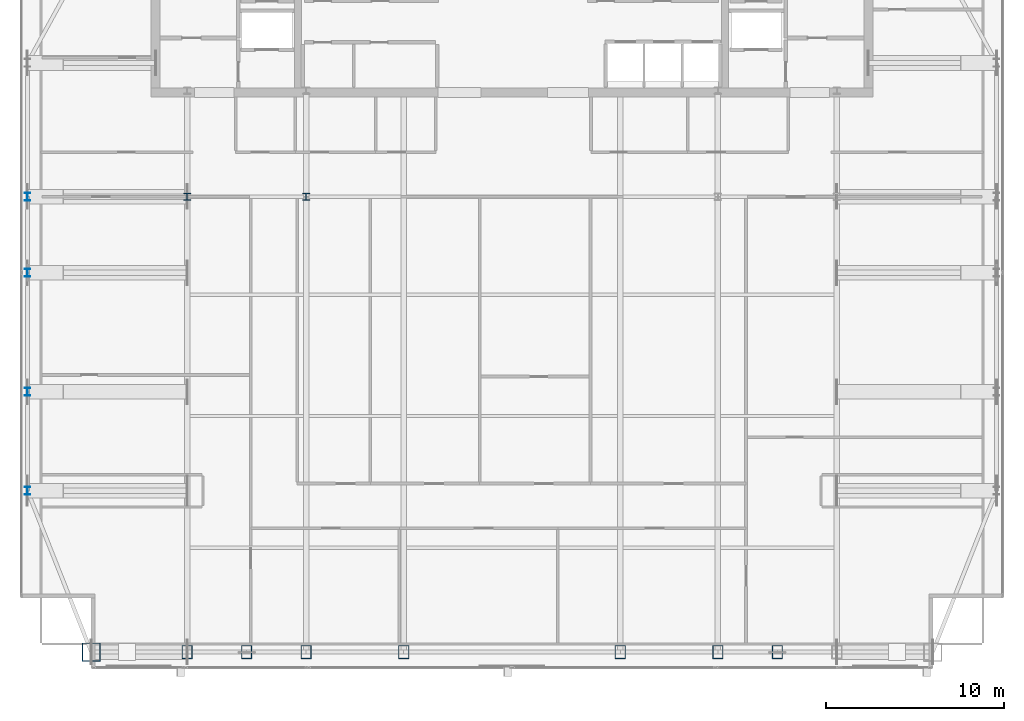
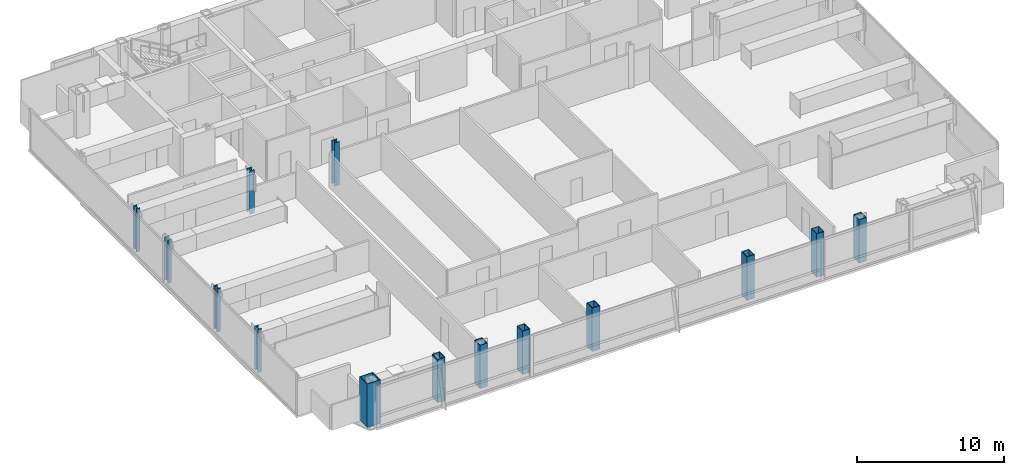
# One storey, part 1 of 26: 14 columns.
"""IFC4 building model written with IfcOpenShell, lengths in metres."""

from ifc_helpers import new_model, si_unit, direction, frame, origin, origin_2d, place, context, subcontext, project, spatial, hollow_rectangle, i_section, extrude, material, material_profile, profile_set, type_object, element, save


model = new_model("IFC4")

# Units and contexts
model_context = context("Model", 3, precision=1e-05, world=origin(), true_north=direction((0.0, 1.0)))
body_context = subcontext(model_context, "Body", "Model", "MODEL_VIEW")
ifc_project = project(units=[si_unit("LENGTHUNIT", "METRE"), si_unit("AREAUNIT", "SQUARE_METRE"), si_unit("VOLUMEUNIT", "CUBIC_METRE"), si_unit("PLANEANGLEUNIT", "RADIAN"), si_unit("MASSUNIT", "GRAM", prefix="KILO")], contexts=[model_context])

# Site, building, storey
site_placement = place(None, origin())
site = spatial("IfcSite", under=ifc_project, at=site_placement, CompositionType="ELEMENT")
building_placement = place(site_placement, origin())
building = spatial("IfcBuilding", under=site, at=building_placement, Name="Khoronbel Lancet Exchange", CompositionType="ELEMENT")
storey_placement = place(building_placement, frame((0.0, 0.0, 287.800048828125)))
storey = spatial("IfcBuildingStorey", under=building, at=storey_placement, Name="L74", CompositionType="ELEMENT", Elevation=287.800048828125)

# Columns
ifc_material_1 = material(Name="Steel S460", Category="steel")
ifc_material_profile_1 = material_profile(ifc_material_1, hollow_rectangle(XDim=0.60009765625, YDim=0.75, WallThickness=0.044921875, at=origin_2d()), Name="BOX 750x600x45")
ifc_profile_set_1 = profile_set([ifc_material_profile_1], Name="Steel S460")
column_type_1 = type_object("IfcColumnType", Name="COL-EC3", PredefinedType="COLUMN", material=ifc_profile_set_1)
for number, where, z_axis, x_axis, name in (
    (1, (18.22509765625, 10.14990234375, 0.0), (0.0, 0.0, 1.0), (1.0, 0.0, 0.0), "Structural column SC-W1 L74"),
    (2, (21.5625, 10.14990234375, 0.0), (0.0, 0.0, 1.0), (1.0, 0.0, 0.0), "Structural column SC-WM L74"),
    (3, (24.89990234375, 10.14990234375, 0.0), (0.0, 0.0, 1.0), (1.0, 0.0, 0.0), "Structural column SC-W2 L74"),
    (4, (30.375, 10.14990234375, 0.0), (0.0, 0.0, 1.0), (1.0, 0.0, 0.0), "Structural column SC-C1 L74"),
    (5, (42.52490234375, 10.14990234375, 0.0), (0.0, 0.0, 1.0), (1.0, 0.0, 0.0), "Structural column SC-C2 L74"),
    (6, (48.0, 10.14990234375, 0.0), (0.0, 0.0, 1.0), (1.0, 0.0, 0.0), "Structural column SC-E1 L74"),
    (7, (51.33740234375, 10.14990234375, 0.0), (0.0, 0.0, 1.0), (1.0, 0.0, 0.0), "Structural column SC-EM L74"),
):
    element("IfcColumn", number, at=place(storey_placement, frame(where, z_axis=z_axis, x_axis=x_axis)), inside=storey, type_object=column_type_1, Name=name, PredefinedType="COLUMN", context=body_context, shape_type="SweptSolid", body=[
        extrude(hollow_rectangle(XDim=0.60009765625, YDim=0.75, WallThickness=0.044921875, at=origin_2d()), origin(), (0.0, 0.0, 1.0), 3.599853515625),
    ])
ifc_material_2 = material(Name="Steel S355", Category="steel")
ifc_material_profile_2 = material_profile(ifc_material_2, i_section(OverallWidth=0.39892578125, OverallDepth=0.39306640625, WebThickness=0.022705078125, FlangeThickness=0.03662109375, at=origin_2d()), Name="HD 400x287")
ifc_profile_set_2 = profile_set([ifc_material_profile_2], Name="Steel S355")
column_type_2 = type_object("IfcColumnType", Name="COL-IC4", PredefinedType="COLUMN", material=ifc_profile_set_2)
for number, where, z_axis, x_axis, name in (
    (8, (18.22509765625, 35.699951171875, 0.0), (0.0, 0.0, 1.0), (1.0, 0.0, 0.0), "Spine gravity column TC1 L74"),
    (9, (24.89990234375, 35.699951171875, 0.0), (0.0, 0.0, 1.0), (1.0, 0.0, 0.0), "Spine gravity column TC2 L74"),
):
    element("IfcColumn", number, at=place(storey_placement, frame(where, z_axis=z_axis, x_axis=x_axis)), inside=storey, type_object=column_type_2, Name=name, PredefinedType="COLUMN", context=body_context, shape_type="SweptSolid", body=[
        extrude(i_section(OverallWidth=0.39892578125, OverallDepth=0.39306640625, WebThickness=0.022705078125, FlangeThickness=0.03662109375, at=origin_2d()), origin(), (0.0, 0.0, 1.0), 3.599853515625),
    ])
ifc_material_profile_3 = material_profile(ifc_material_2, i_section(OverallWidth=0.300048828125, OverallDepth=0.449951171875, WebThickness=0.013916015625, FlangeThickness=0.02587890625, at=origin_2d()), Name="HEB 450")
ifc_profile_set_3 = profile_set([ifc_material_profile_3], Name="Steel S355")
column_type_3 = type_object("IfcColumnType", Name="COL-LC2", PredefinedType="COLUMN", material=ifc_profile_set_3)
for number, where, z_axis, x_axis, name in (
    (10, (9.27001953125, 19.199951171875, 0.0), (0.0, 0.0, 1.0), (1.0, 0.0, 0.0), "Structural column WC-1 L74"),
    (11, (9.27001953125, 24.75, 0.0), (0.0, 0.0, 1.0), (1.0, 0.0, 0.0), "Structural column WC-2 L74"),
    (12, (9.27001953125, 31.425048828125, 0.0), (0.0, 0.0, 1.0), (1.0, 0.0, 0.0), "Structural column WC-M L74"),
    (13, (9.27001953125, 35.699951171875, 0.0), (0.0, 0.0, 1.0), (1.0, 0.0, 0.0), "Structural column WC-3 L74"),
):
    element("IfcColumn", number, at=place(storey_placement, frame(where, z_axis=z_axis, x_axis=x_axis)), inside=storey, type_object=column_type_3, Name=name, PredefinedType="COLUMN", context=body_context, shape_type="SweptSolid", body=[
        extrude(i_section(OverallWidth=0.300048828125, OverallDepth=0.449951171875, WebThickness=0.013916015625, FlangeThickness=0.02587890625, at=origin_2d()), origin(), (0.0, 0.0, 1.0), 3.599853515625),
    ])
ifc_material_profile_4 = material_profile(ifc_material_1, hollow_rectangle(XDim=1.050048828125, YDim=1.050048828125, WallThickness=0.054931640625, at=origin_2d()), Name="BOX 1050x1050x55")
ifc_profile_set_4 = profile_set([ifc_material_profile_4], Name="Steel S460")
column_type_4 = type_object("IfcColumnType", Name="COL-MC6", PredefinedType="COLUMN", material=ifc_profile_set_4)
column_placement = place(storey_placement, frame((12.85009765625, 10.14990234375, 0.0), z_axis=(0.0, 0.0, 1.0), x_axis=(1.0, 0.0, 0.0)))
element("IfcColumn", 14, at=column_placement, inside=storey, type_object=column_type_4, Name="Structural column MC-SW L74", PredefinedType="COLUMN", context=body_context, shape_type="SweptSolid", body=[
    extrude(hollow_rectangle(XDim=1.050048828125, YDim=1.050048828125, WallThickness=0.054931640625, at=origin_2d()), origin(), (0.0, 0.0, 1.0), 3.599853515625),
])

save(model, "model.ifc")
